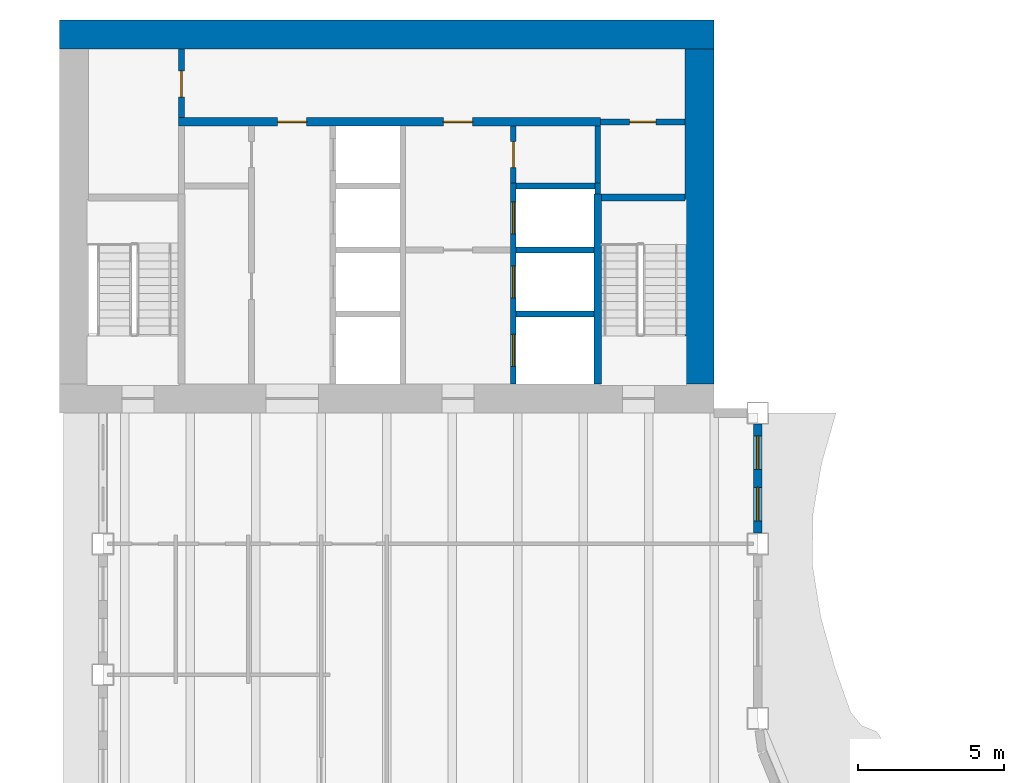
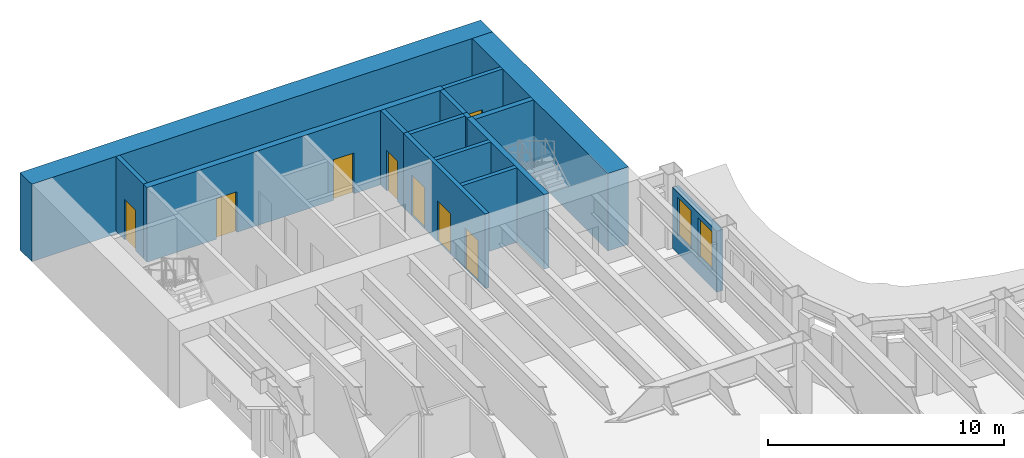
# One storey, part 9 of 16: 15 walls, 8 doors, 2 windows, 10 openings.
"""IFC4 building model written with IfcOpenShell, lengths in metres."""

from ifc_helpers import new_model, si_unit, direction, frame, frame_2d, origin, place, context, subcontext, project, spatial, rectangle, extrude, material, layer, layer_set, type_object, element, fill, save


model = new_model("IFC4")

# Units and contexts
model_context = context("Model", 3, precision=1e-05, world=origin(), true_north=direction((0.0, 1.0)))
body_context = subcontext(model_context, "Body", "Model", "MODEL_VIEW")
ifc_project = project(units=[si_unit("LENGTHUNIT", "METRE"), si_unit("AREAUNIT", "SQUARE_METRE"), si_unit("VOLUMEUNIT", "CUBIC_METRE"), si_unit("PLANEANGLEUNIT", "RADIAN"), si_unit("MASSUNIT", "GRAM", prefix="KILO")], contexts=[model_context])

# Site, building, storey
site_placement = place(None, origin())
site = spatial("IfcSite", under=ifc_project, at=site_placement, CompositionType="ELEMENT")
building_placement = place(site_placement, origin())
building = spatial("IfcBuilding", under=site, at=building_placement, Name="Sennacour Bend Tower", CompositionType="ELEMENT")
storey_placement = place(building_placement, frame((0.0, 0.0, 235.0)))
storey = spatial("IfcBuildingStorey", under=building, at=storey_placement, Name="L54", CompositionType="ELEMENT", Elevation=235.0)

# Walls
ifc_material_1 = material(Name="Concrete C60/75", Category="concrete")
ifc_layer_1 = layer(ifc_material_1, 1.0, Name="Concrete C60/75", Category="concrete")
ifc_layer_set_1 = layer_set([ifc_layer_1], Name="Concrete C60/75")
wall_type_1 = type_object("IfcWallType", Name="Core wall 1000 C60/75", PredefinedType="SHEAR", material=ifc_layer_set_1)
wall_1_placement = place(storey_placement, frame((0.0, 49.0, -0.14990234375), z_axis=(0.0, 0.0, 1.0), x_axis=(1.0, 0.0, 0.0)))
element("IfcWall", 1, at=wall_1_placement, inside=storey, type_object=wall_type_1, Name="Core B wall L54 N", PredefinedType="SHEAR", context=body_context, shape_type="SweptSolid", body=[
    extrude(rectangle(XDim=22.5, YDim=1.0, at=frame_2d((11.25, 0.0))), origin(), (0.0, 0.0, 1.0), 4.0),
])
wall_2_placement = place(storey_placement, frame((22.0, 37.0, -0.14990234375), z_axis=(0.0, 0.0, 1.0), x_axis=(0.0, 1.0, 0.0)))
element("IfcWall", 2, at=wall_2_placement, inside=storey, type_object=wall_type_1, Name="Core B wall L54 E", PredefinedType="SHEAR", context=body_context, shape_type="SweptSolid", body=[
    extrude(rectangle(XDim=11.5, YDim=1.0, at=frame_2d((5.75, 0.0))), origin(), (0.0, 0.0, 1.0), 4.0),
])

# Wall, opening, door
ifc_material_2 = material(Name="Fire-rated plasterboard partition on steel studs", Category="steel")
ifc_layer_2 = layer(ifc_material_2, 0.199951171875, Name="Fire-rated plasterboard partition on steel studs", Category="steel")
ifc_layer_set_2 = layer_set([ifc_layer_2], Name="Fire-rated plasterboard partition on steel studs")
wall_type_2 = type_object("IfcWallType", Name="Rated partition 200", PredefinedType="PARTITIONING", material=ifc_layer_set_2)
wall_3_placement = place(storey_placement, frame((4.199951171875, 46.14990234375, 0.0), z_axis=(0.0, 0.0, 1.0), x_axis=(0.0, 1.0, 0.0)))
wall_3 = element("IfcWall", 3, at=wall_3_placement, inside=storey, type_object=wall_type_2, Name="P-L54-W006b", PredefinedType="PARTITIONING", context=body_context, shape_type="SweptSolid", body=[
    extrude(rectangle(XDim=2.35009765625, YDim=0.199951171875, at=frame_2d((1.175048828125, 0.0))), origin(), (0.0, 0.0, 1.0), 3.85009765625),
])
opening_1_placement = place(wall_3_placement, frame((0.7001953125, 0.0, 0.0)))
opening_1 = element("IfcOpeningElement", 4, at=opening_1_placement, cuts=wall_3, Name="Opening SV", PredefinedType="OPENING", context=body_context, shape_type="SweptSolid", body=[
    extrude(rectangle(XDim=0.89990234375, YDim=2.10009765625, at=frame_2d((0.449951171875, 1.050048828125))), frame((0.0, 0.10986328125, 0.0), z_axis=(0.0, -1.0, 0.0), x_axis=(1.0, 0.0, 0.0)), (0.0, 0.0, 1.0), 0.219970703125),
])
ifc_material_3 = material(Name="Painted steel", Category="steel")
door_type_1 = type_object("IfcDoorType", Name="DR-SERVICE-900", OperationType="NOTDEFINED", PredefinedType="DOOR", material=ifc_material_3)
door_1_placement = place(opening_1_placement, origin())
door_1 = element("IfcDoor", 5, at=door_1_placement, inside=storey, type_object=door_type_1, Name="Door", OperationType="SINGLE_SWING_LEFT", OverallHeight=2.10009765625, OverallWidth=0.89990234375, PredefinedType="DOOR", context=body_context, shape_type="SweptSolid", body=[
    extrude(rectangle(XDim=0.89990234375, YDim=2.10009765625, at=frame_2d((0.449951171875, 1.050048828125))), frame((0.0, 0.02490234375, 0.0), z_axis=(0.0, -1.0, 0.0), x_axis=(1.0, 0.0, 0.0)), (0.0, 0.0, 1.0), 0.050048828125),
])
fill(opening_1, door_1)

wall_4_placement = place(storey_placement, frame((15.60009765625, 43.89990234375, 0.0), z_axis=(0.0, 0.0, 1.0), x_axis=(0.0, 1.0, 0.0)))
wall_4 = element("IfcWall", 6, at=wall_4_placement, inside=storey, type_object=wall_type_2, Name="P-L54-W016", PredefinedType="PARTITIONING", context=body_context, shape_type="SweptSolid", body=[
    extrude(rectangle(XDim=1.9501953125, YDim=0.199951171875, at=frame_2d((0.97509765625, 0.0))), origin(), (0.0, 0.0, 1.0), 3.85009765625),
])
opening_2_placement = place(wall_4_placement, frame((0.525146484375, 0.0, 0.0)))
opening_2 = element("IfcOpeningElement", 7, at=opening_2_placement, cuts=wall_4, Name="Opening SV", PredefinedType="OPENING", context=body_context, shape_type="SweptSolid", body=[
    extrude(rectangle(XDim=0.89990234375, YDim=2.10009765625, at=frame_2d((0.449951171875, 1.050048828125))), frame((0.0, 0.10986328125, 0.0), z_axis=(0.0, -1.0, 0.0), x_axis=(1.0, 0.0, 0.0)), (0.0, 0.0, 1.0), 0.219970703125),
])
door_2_placement = place(opening_2_placement, origin())
door_2 = element("IfcDoor", 8, at=door_2_placement, inside=storey, type_object=door_type_1, Name="Door", OperationType="SINGLE_SWING_RIGHT", OverallHeight=2.10009765625, OverallWidth=0.89990234375, PredefinedType="DOOR", context=body_context, shape_type="SweptSolid", body=[
    extrude(rectangle(XDim=0.89990234375, YDim=2.10009765625, at=frame_2d((0.449951171875, 1.050048828125))), frame((0.0, 0.02490234375, 0.0), z_axis=(0.0, -1.0, 0.0), x_axis=(1.0, 0.0, 0.0)), (0.0, 0.0, 1.0), 0.050048828125),
])
fill(opening_2, door_2)

# Wall
wall_5_placement = place(storey_placement, frame((18.5, 43.89990234375, 0.0), z_axis=(0.0, 0.0, 1.0), x_axis=(0.0, 1.0, 0.0)))
element("IfcWall", 9, at=wall_5_placement, inside=storey, type_object=wall_type_2, Name="P-L54-W020", PredefinedType="PARTITIONING", context=body_context, shape_type="SweptSolid", body=[
    extrude(rectangle(XDim=1.9501953125, YDim=0.199951171875, at=frame_2d((0.97509765625, 0.0))), origin(), (0.0, 0.0, 1.0), 3.85009765625),
])

# Wall, opening, door
wall_6_placement = place(storey_placement, frame((18.60009765625, 46.0, 0.0), z_axis=(0.0, 0.0, 1.0), x_axis=(1.0, 0.0, 0.0)))
wall_6 = element("IfcWall", 10, at=wall_6_placement, inside=storey, type_object=wall_type_2, Name="P-L54-W089", PredefinedType="PARTITIONING", context=body_context, shape_type="SweptSolid", body=[
    extrude(rectangle(XDim=2.89990234375, YDim=0.199951171875, at=frame_2d((1.449951171875, 0.0))), origin(), (0.0, 0.0, 1.0), 3.85009765625),
])
opening_3_placement = place(wall_6_placement, frame((1.0, 0.0, 0.0)))
opening_3 = element("IfcOpeningElement", 11, at=opening_3_placement, cuts=wall_6, Name="Opening SV", PredefinedType="OPENING", context=body_context, shape_type="SweptSolid", body=[
    extrude(rectangle(XDim=0.89990234375, YDim=2.10009765625, at=frame_2d((0.449951171875, 1.050048828125))), frame((0.0, 0.10986328125, 0.0), z_axis=(0.0, -1.0, 0.0), x_axis=(1.0, 0.0, 0.0)), (0.0, 0.0, 1.0), 0.219970703125),
])
door_3_placement = place(opening_3_placement, origin())
door_3 = element("IfcDoor", 12, at=door_3_placement, inside=storey, type_object=door_type_1, Name="Door", OperationType="SINGLE_SWING_LEFT", OverallHeight=2.10009765625, OverallWidth=0.89990234375, PredefinedType="DOOR", context=body_context, shape_type="SweptSolid", body=[
    extrude(rectangle(XDim=0.89990234375, YDim=2.10009765625, at=frame_2d((0.449951171875, 1.050048828125))), frame((0.0, 0.02490234375, 0.0), z_axis=(0.0, -1.0, 0.0), x_axis=(1.0, 0.0, 0.0)), (0.0, 0.0, 1.0), 0.050048828125),
])
fill(opening_3, door_3)

# Wall, openings, windows
ifc_material_4 = material(Name="Warm limestone cladding", Category="masonry")
ifc_layer_3 = layer(ifc_material_4, 0.050048828125, Name="Warm limestone cladding", Category="masonry")
ifc_material_5 = material(Name="Precast concrete C40/50", Category="concrete")
ifc_layer_4 = layer(ifc_material_5, 0.25, Name="Precast concrete C40/50", Category="concrete")
ifc_layer_set_3 = layer_set([ifc_layer_3, ifc_layer_4], Name="Precast concrete C40/50 with limestone cladding")
wall_type_3 = type_object("IfcWallType", Name="STONE-CLAD PRECAST SPANDREL 300", PredefinedType="STANDARD", material=ifc_layer_set_3)
wall_7_placement = place(storey_placement, frame((24.0, 31.875, 0.0), z_axis=(0.0, 0.0, 1.0), x_axis=(0.0, 1.0, 0.0)))
wall_7 = element("IfcWall", 13, at=wall_7_placement, inside=storey, type_object=wall_type_3, Name="Stone spandrel and pier wall L54 13.01", PredefinedType="STANDARD", context=body_context, shape_type="SweptSolid", body=[
    extrude(rectangle(XDim=3.75, YDim=0.300048828125, at=frame_2d((1.875, 0.0))), origin(), (0.0, 0.0, 1.0), 3.156982421875),
])
opening_4_placement = place(wall_7_placement, frame((0.41259765625, 0.0, 0.89990234375)))
opening_4 = element("IfcOpeningElement", 14, at=opening_4_placement, cuts=wall_7, Name="Opening W24", PredefinedType="OPENING", context=body_context, shape_type="SweptSolid", body=[
    extrude(rectangle(XDim=1.14990234375, YDim=2.0, at=frame_2d((0.574951171875, 1.0))), frame((0.0, 0.16015625, 0.0), z_axis=(0.0, -1.0, 0.0), x_axis=(1.0, 0.0, 0.0)), (0.0, 0.0, 1.0), 0.320068359375),
])
opening_5_placement = place(wall_7_placement, frame((2.1875, 0.0, 0.89990234375)))
opening_5 = element("IfcOpeningElement", 15, at=opening_5_placement, cuts=wall_7, Name="Opening W24", PredefinedType="OPENING", context=body_context, shape_type="SweptSolid", body=[
    extrude(rectangle(XDim=1.14990234375, YDim=2.0, at=frame_2d((0.574951171875, 1.0))), frame((0.0, 0.16015625, 0.0), z_axis=(0.0, -1.0, 0.0), x_axis=(1.0, 0.0, 0.0)), (0.0, 0.0, 1.0), 0.320068359375),
])
ifc_material_6 = material(Name="Clear low-emissivity glass", Category="glass")
window_type = type_object("IfcWindowType", Name="WIN-RIBBON-1150x2000", PartitioningType="SINGLE_PANEL", PredefinedType="WINDOW", material=ifc_material_6)
window_1_placement = place(opening_4_placement, origin())
window_1 = element("IfcWindow", 16, at=window_1_placement, inside=storey, type_object=window_type, Name="Ribbon window L54 13.01.0", OverallHeight=2.0, OverallWidth=1.14990234375, PartitioningType="SINGLE_PANEL", PredefinedType="WINDOW", context=body_context, shape_type="SweptSolid", body=[
    extrude(rectangle(XDim=1.14990234375, YDim=2.0, at=frame_2d((0.574951171875, 1.0))), frame((0.0, 0.030029296875, 0.0), z_axis=(0.0, -1.0, 0.0), x_axis=(1.0, 0.0, 0.0)), (0.0, 0.0, 1.0), 0.06005859375),
])
fill(opening_4, window_1)
window_2_placement = place(opening_5_placement, origin())
window_2 = element("IfcWindow", 17, at=window_2_placement, inside=storey, type_object=window_type, Name="Ribbon window L54 13.01.1", OverallHeight=2.0, OverallWidth=1.14990234375, PartitioningType="SINGLE_PANEL", PredefinedType="WINDOW", context=body_context, shape_type="SweptSolid", body=[
    extrude(rectangle(XDim=1.14990234375, YDim=2.0, at=frame_2d((0.574951171875, 1.0))), frame((0.0, 0.030029296875, 0.0), z_axis=(0.0, -1.0, 0.0), x_axis=(1.0, 0.0, 0.0)), (0.0, 0.0, 1.0), 0.06005859375),
])
fill(opening_5, window_2)

# Wall, openings, doors
ifc_material_7 = material(Name="Concrete C50/60", Category="concrete")
ifc_layer_5 = layer(ifc_material_7, 0.199951171875, Name="Concrete C50/60", Category="concrete")
ifc_layer_set_4 = layer_set([ifc_layer_5], Name="Concrete C50/60")
wall_type_4 = type_object("IfcWallType", Name="Shaft wall 200", PredefinedType="SOLIDWALL", material=ifc_layer_set_4)
wall_8_placement = place(storey_placement, frame((15.60009765625, 37.0, 0.0), z_axis=(0.0, 0.0, 1.0), x_axis=(0.0, 1.0, 0.0)))
wall_8 = element("IfcWall", 18, at=wall_8_placement, inside=storey, type_object=wall_type_4, Name="P-L54-W015", PredefinedType="SOLIDWALL", context=body_context, shape_type="SweptSolid", body=[
    extrude(rectangle(XDim=6.89990234375, YDim=0.199951171875, at=frame_2d((3.449951171875, 0.0))), origin(), (0.0, 0.0, 1.0), 3.85009765625),
])
opening_6_placement = place(wall_8_placement, frame((0.60009765625, 0.0, 0.011962890625)))
opening_6 = element("IfcOpeningElement", 19, at=opening_6_placement, cuts=wall_8, Name="Opening FLD", PredefinedType="OPENING", context=body_context, shape_type="SweptSolid", body=[
    extrude(rectangle(XDim=1.10009765625, YDim=2.10009765625, at=frame_2d((0.550048828125, 1.050048828125))), frame((0.0, 0.10986328125, 0.0), z_axis=(0.0, -1.0, 0.0), x_axis=(1.0, 0.0, 0.0)), (0.0, 0.0, 1.0), 0.219970703125),
])
opening_7_placement = place(wall_8_placement, frame((2.949951171875, 0.0, 0.011962890625)))
opening_7 = element("IfcOpeningElement", 20, at=opening_7_placement, cuts=wall_8, Name="Opening FLD", PredefinedType="OPENING", context=body_context, shape_type="SweptSolid", body=[
    extrude(rectangle(XDim=1.10009765625, YDim=2.10009765625, at=frame_2d((0.550048828125, 1.050048828125))), frame((0.0, 0.10986328125, 0.0), z_axis=(0.0, -1.0, 0.0), x_axis=(1.0, 0.0, 0.0)), (0.0, 0.0, 1.0), 0.219970703125),
])
opening_8_placement = place(wall_8_placement, frame((5.14990234375, 0.0, 0.011962890625)))
opening_8 = element("IfcOpeningElement", 21, at=opening_8_placement, cuts=wall_8, Name="Opening LD", PredefinedType="OPENING", context=body_context, shape_type="SweptSolid", body=[
    extrude(rectangle(XDim=1.10009765625, YDim=2.10009765625, at=frame_2d((0.550048828125, 1.050048828125))), frame((0.0, 0.10986328125, 0.0), z_axis=(0.0, -1.0, 0.0), x_axis=(1.0, 0.0, 0.0)), (0.0, 0.0, 1.0), 0.219970703125),
])
ifc_material_8 = material(Name="Stainless steel", Category="steel")
door_type_2 = type_object("IfcDoorType", Name="DR-FF-LANDING-1100", OperationType="NOTDEFINED", PredefinedType="DOOR", material=ifc_material_8)
door_4_placement = place(opening_6_placement, origin())
door_4 = element("IfcDoor", 22, at=door_4_placement, inside=storey, type_object=door_type_2, Name="Fire service lift landing door FB1", OperationType="SLIDING_TO_RIGHT", OverallHeight=2.10009765625, OverallWidth=1.10009765625, PredefinedType="DOOR", context=body_context, shape_type="SweptSolid", body=[
    extrude(rectangle(XDim=1.10009765625, YDim=2.10009765625, at=frame_2d((0.550048828125, 1.050048828125))), frame((0.0, 0.02490234375, 0.0), z_axis=(0.0, -1.0, 0.0), x_axis=(1.0, 0.0, 0.0)), (0.0, 0.0, 1.0), 0.050048828125),
])
fill(opening_6, door_4)
door_5_placement = place(opening_7_placement, origin())
door_5 = element("IfcDoor", 23, at=door_5_placement, inside=storey, type_object=door_type_2, Name="Fire service lift landing door FB2", OperationType="SLIDING_TO_LEFT", OverallHeight=2.10009765625, OverallWidth=1.10009765625, PredefinedType="DOOR", context=body_context, shape_type="SweptSolid", body=[
    extrude(rectangle(XDim=1.10009765625, YDim=2.10009765625, at=frame_2d((0.550048828125, 1.050048828125))), frame((0.0, 0.02490234375, 0.0), z_axis=(0.0, -1.0, 0.0), x_axis=(1.0, 0.0, 0.0)), (0.0, 0.0, 1.0), 0.050048828125),
])
fill(opening_7, door_5)
door_type_3 = type_object("IfcDoorType", Name="DR-LANDING-1100", OperationType="NOTDEFINED", PredefinedType="DOOR", material=ifc_material_8)
door_6_placement = place(opening_8_placement, origin())
door_6 = element("IfcDoor", 24, at=door_6_placement, inside=storey, type_object=door_type_3, Name="Lift landing door MB5", OperationType="SLIDING_TO_RIGHT", OverallHeight=2.10009765625, OverallWidth=1.10009765625, PredefinedType="DOOR", context=body_context, shape_type="SweptSolid", body=[
    extrude(rectangle(XDim=1.10009765625, YDim=2.10009765625, at=frame_2d((0.550048828125, 1.050048828125))), frame((0.0, 0.02490234375, 0.0), z_axis=(0.0, -1.0, 0.0), x_axis=(1.0, 0.0, 0.0)), (0.0, 0.0, 1.0), 0.050048828125),
])
fill(opening_8, door_6)

# Walls
wall_9_placement = place(storey_placement, frame((18.5, 43.52490234375, 0.0), z_axis=(0.0, 0.0, 1.0), x_axis=(0.0, 1.0, 0.0)))
element("IfcWall", 25, at=wall_9_placement, inside=storey, type_object=wall_type_4, Name="P-L54-W019", PredefinedType="SOLIDWALL", context=body_context, shape_type="SweptSolid", body=[
    extrude(rectangle(XDim=0.375, YDim=0.199951171875, at=frame_2d((0.1875, 0.0))), origin(), (0.0, 0.0, 1.0), 3.85009765625),
])
for number, where, z_axis, x_axis, name in (
    (26, (15.699951171875, 39.39990234375, 0.0), (0.0, 0.0, 1.0), (1.0, 0.0, 0.0), "P-L54-W079"),
    (27, (15.699951171875, 41.60009765625, 0.0), (0.0, 0.0, 1.0), (1.0, 0.0, 0.0), "P-L54-W082"),
):
    element("IfcWall", number, at=place(storey_placement, frame(where, z_axis=z_axis, x_axis=x_axis)), inside=storey, type_object=wall_type_4, Name=name, PredefinedType="SOLIDWALL", context=body_context, shape_type="SweptSolid", body=[
        extrude(rectangle(XDim=2.675048828125, YDim=0.199951171875, at=frame_2d((1.33740234375, 0.0))), origin(), (0.0, 0.0, 1.0), 3.85009765625),
    ])
wall_10_placement = place(storey_placement, frame((15.699951171875, 43.800048828125, 0.0), z_axis=(0.0, 0.0, 1.0), x_axis=(1.0, 0.0, 0.0)))
element("IfcWall", 28, at=wall_10_placement, inside=storey, type_object=wall_type_4, Name="P-L54-W087", PredefinedType="SOLIDWALL", context=body_context, shape_type="SweptSolid", body=[
    extrude(rectangle(XDim=2.699951171875, YDim=0.199951171875, at=frame_2d((1.35009765625, 0.0))), origin(), (0.0, 0.0, 1.0), 3.85009765625),
])

# Wall, openings, doors
ifc_layer_6 = layer(ifc_material_1, 0.300048828125, Name="Concrete C60/75", Category="concrete")
ifc_layer_set_5 = layer_set([ifc_layer_6], Name="Concrete C60/75")
wall_type_5 = type_object("IfcWallType", Name="Spine wall 300", PredefinedType="SHEAR", material=ifc_layer_set_5)
wall_11_placement = place(storey_placement, frame((4.10009765625, 46.0, 0.0), z_axis=(0.0, 0.0, 1.0), x_axis=(1.0, 0.0, 0.0)))
wall_11 = element("IfcWall", 29, at=wall_11_placement, inside=storey, type_object=wall_type_5, Name="P-L54-W088", PredefinedType="SHEAR", context=body_context, shape_type="SweptSolid", body=[
    extrude(rectangle(XDim=14.5, YDim=0.300048828125, at=frame_2d((7.25, 0.0))), origin(), (0.0, 0.0, 1.0), 3.85009765625),
])
opening_9_placement = place(wall_11_placement, frame((3.39990234375, 0.0, 0.0)))
opening_9 = element("IfcOpeningElement", 30, at=opening_9_placement, cuts=wall_11, Name="Opening CD2", PredefinedType="OPENING", context=body_context, shape_type="SweptSolid", body=[
    extrude(rectangle(XDim=1.0, YDim=2.10009765625, at=frame_2d((0.5, 1.050048828125))), frame((0.0, 0.16015625, 0.0), z_axis=(0.0, -1.0, 0.0), x_axis=(1.0, 0.0, 0.0)), (0.0, 0.0, 1.0), 0.320068359375),
])
opening_10_placement = place(wall_11_placement, frame((9.099853515625, 0.0, 0.0)))
opening_10 = element("IfcOpeningElement", 31, at=opening_10_placement, cuts=wall_11, Name="Opening CD2", PredefinedType="OPENING", context=body_context, shape_type="SweptSolid", body=[
    extrude(rectangle(XDim=1.0, YDim=2.10009765625, at=frame_2d((0.5, 1.050048828125))), frame((0.0, 0.16015625, 0.0), z_axis=(0.0, -1.0, 0.0), x_axis=(1.0, 0.0, 0.0)), (0.0, 0.0, 1.0), 0.320068359375),
])
door_type_4 = type_object("IfcDoorType", Name="DR-LOBBY-1000", OperationType="NOTDEFINED", PredefinedType="DOOR", material=ifc_material_3)
door_7_placement = place(opening_9_placement, origin())
door_7 = element("IfcDoor", 32, at=door_7_placement, inside=storey, type_object=door_type_4, Name="Door", OperationType="SINGLE_SWING_LEFT", OverallHeight=2.10009765625, OverallWidth=1.0, PredefinedType="DOOR", context=body_context, shape_type="SweptSolid", body=[
    extrude(rectangle(XDim=1.0, YDim=2.10009765625, at=frame_2d((0.5, 1.050048828125))), frame((0.0, 0.02490234375, 0.0), z_axis=(0.0, -1.0, 0.0), x_axis=(1.0, 0.0, 0.0)), (0.0, 0.0, 1.0), 0.050048828125),
])
fill(opening_9, door_7)
door_8_placement = place(opening_10_placement, origin())
door_8 = element("IfcDoor", 33, at=door_8_placement, inside=storey, type_object=door_type_4, Name="Door", OperationType="SINGLE_SWING_RIGHT", OverallHeight=2.10009765625, OverallWidth=1.0, PredefinedType="DOOR", context=body_context, shape_type="SweptSolid", body=[
    extrude(rectangle(XDim=1.0, YDim=2.10009765625, at=frame_2d((0.5, 1.050048828125))), frame((0.0, 0.02490234375, 0.0), z_axis=(0.0, -1.0, 0.0), x_axis=(1.0, 0.0, 0.0)), (0.0, 0.0, 1.0), 0.050048828125),
])
fill(opening_10, door_8)

# Walls
ifc_layer_7 = layer(ifc_material_1, 0.25, Name="Concrete C60/75", Category="concrete")
ifc_layer_set_6 = layer_set([ifc_layer_7], Name="Concrete C60/75")
wall_type_6 = type_object("IfcWallType", Name="Stair wall 250", PredefinedType="SHEAR", material=ifc_layer_set_6)
wall_12_placement = place(storey_placement, frame((18.5, 37.0, 0.0), z_axis=(0.0, 0.0, 1.0), x_axis=(0.0, 1.0, 0.0)))
element("IfcWall", 34, at=wall_12_placement, inside=storey, type_object=wall_type_6, Name="P-L54-W018", PredefinedType="SHEAR", context=body_context, shape_type="SweptSolid", body=[
    extrude(rectangle(XDim=6.52490234375, YDim=0.25, at=frame_2d((3.262451171875, 0.0))), origin(), (0.0, 0.0, 1.0), 3.85009765625),
])
wall_13_placement = place(storey_placement, frame((18.625, 43.39990234375, 0.0), z_axis=(0.0, 0.0, 1.0), x_axis=(1.0, 0.0, 0.0)))
element("IfcWall", 35, at=wall_13_placement, inside=storey, type_object=wall_type_6, Name="P-L54-W084", PredefinedType="SHEAR", context=body_context, shape_type="SweptSolid", body=[
    extrude(rectangle(XDim=2.875, YDim=0.25, at=frame_2d((1.4375, 0.0))), origin(), (0.0, 0.0, 1.0), 3.85009765625),
])

save(model, "model.ifc")
